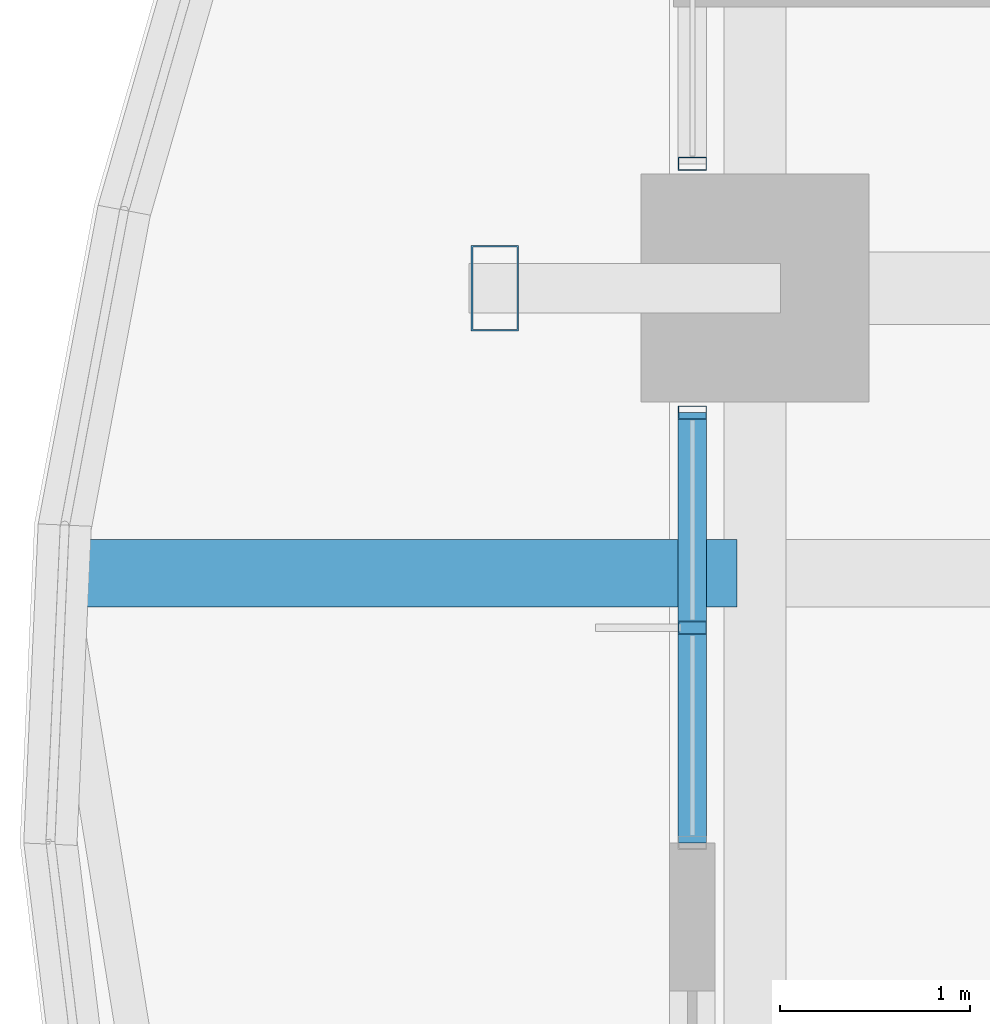
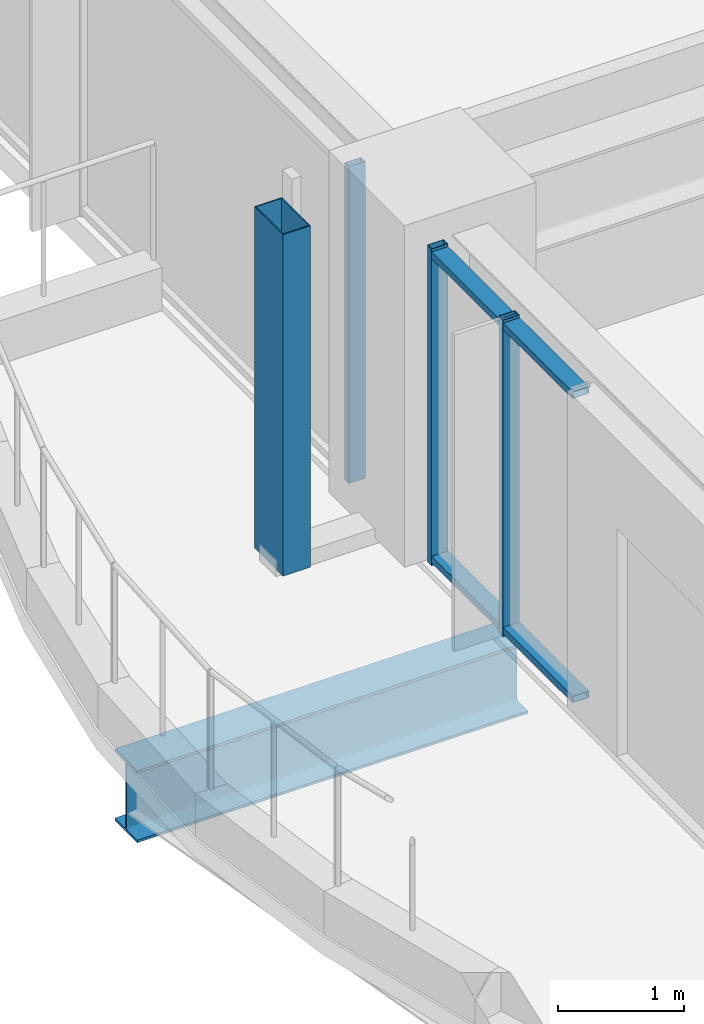
# One storey, part 10 of 38: 6 members, 1 beam, 2 elements without a shape of their own.
"""IFC4 building model written with IfcOpenShell, lengths in metres."""

from ifc_helpers import new_model, si_unit, direction, frame, origin, origin_2d, place, context, subcontext, project, spatial, hollow_rectangle, i_section, extrude, material, material_profile, profile_set, type_object, element, aggregate, save


model = new_model("IFC4")

# Units and contexts
model_context = context("Model", 3, precision=1e-05, world=origin(), true_north=direction((0.0, 1.0)))
body_context = subcontext(model_context, "Body", "Model", "MODEL_VIEW")
ifc_project = project(units=[si_unit("LENGTHUNIT", "METRE"), si_unit("AREAUNIT", "SQUARE_METRE"), si_unit("VOLUMEUNIT", "CUBIC_METRE"), si_unit("PLANEANGLEUNIT", "RADIAN"), si_unit("MASSUNIT", "GRAM", prefix="KILO")], contexts=[model_context])

# Site, building, storey
site_placement = place(None, origin())
site = spatial("IfcSite", under=ifc_project, at=site_placement, CompositionType="ELEMENT")
building_placement = place(site_placement, origin())
building = spatial("IfcBuilding", under=site, at=building_placement, Name="Kolvaren Belvedere", CompositionType="ELEMENT")
storey_placement = place(building_placement, frame((0.0, 0.0, 53.5)))
storey = spatial("IfcBuildingStorey", under=building, at=storey_placement, Name="L15", CompositionType="ELEMENT", Elevation=53.5)

# Beam
ifc_material_1 = material(Name="Structural steel ASTM A992 Grade 50", Category="steel")
ifc_material_profile_1 = material_profile(ifc_material_1, i_section(OverallWidth=0.35498046875, OverallDepth=0.696044921875, WebThickness=0.015380859375, FlangeThickness=0.02490234375, FilletRadius=0.02197265625, at=origin_2d()), Name="W27X146")
ifc_profile_set_1 = profile_set([ifc_material_profile_1], Name="Structural steel ASTM A992 Grade 50")
beam_type = type_object("IfcBeamType", Name="BM-CANT-BAL", PredefinedType="BEAM", material=ifc_profile_set_1)
beam_placement = place(storey_placement, frame((-21.64501953125, 3.10009765625, -0.587890625), z_axis=(-1.0, 0.0, 0.0), x_axis=(0.0, -1.0, 0.0)))
element("IfcBeam", 1, at=beam_placement, inside=storey, type_object=beam_type, Name="L15 Planted Balcony Cantilever BAL-W-2", PredefinedType="BEAM", context=body_context, shape_type="SweptSolid", body=[
    extrude(i_section(OverallWidth=0.35498046875, OverallDepth=0.696044921875, WebThickness=0.015380859375, FlangeThickness=0.02490234375, FilletRadius=0.02197265625, at=origin_2d()), origin(), (0.0, 0.0, 1.0), 3.57080078125),
])

# Curtain wall, members
ifc_material_2 = material(Name="Anodised pale-metal aluminium AA 6063-T6", Category="aluminium")
curtain_wall_type = type_object("IfcCurtainWallType", Name="CW-Z1-LOW", PredefinedType="NOTDEFINED", material=ifc_material_2)
curtain_wall_1_placement = place(storey_placement, origin())
curtain_wall_1 = element("IfcCurtainWall", 2, at=curtain_wall_1_placement, inside=storey, type_object=curtain_wall_type, Name="L15 Unitised Curtain Wall FCW-L15-W2-B1", PredefinedType="NOTDEFINED")
ifc_material_3 = material(Name="Anodised pale-metal aluminium AA 6063-T6", Category="aluminium")
ifc_material_profile_2 = material_profile(ifc_material_3, hollow_rectangle(XDim=0.070068359375, YDim=0.14990234375, WallThickness=0.004150390625, at=origin_2d()), Name="ALU-MUL-150X70")
ifc_profile_set_2 = profile_set([ifc_material_profile_2], Name="Anodised pale-metal aluminium AA 6063-T6")
member_type_1 = type_object("IfcMemberType", Name="CW-MUL-150", PredefinedType="MULLION", material=ifc_profile_set_2)
member_1_placement = place(storey_placement, frame((-21.8798828125, 2.8125, 0.0), z_axis=(0.0, 0.0, 1.0), x_axis=(0.0, 1.0, 0.0)))
member_1 = element("IfcMember", 3, at=member_1_placement, type_object=member_type_1, Name="FCW-L15-W2-B1 Unitised Mullion 2", PredefinedType="MULLION", context=body_context, shape_type="SweptSolid", body=[
    extrude(hollow_rectangle(XDim=0.070068359375, YDim=0.14990234375, WallThickness=0.004150390625, at=origin_2d()), origin(), (0.0, 0.0, 1.0), 3.06005859375),
])
member_2_placement = place(storey_placement, frame((-21.8798828125, 3.945068359375, 0.0), z_axis=(0.0, 0.0, 1.0), x_axis=(0.0, 1.0, 0.0)))
member_2 = element("IfcMember", 4, at=member_2_placement, type_object=member_type_1, Name="FCW-L15-W2-B1 Unitised Mullion 3", PredefinedType="MULLION", context=body_context, shape_type="SweptSolid", body=[
    extrude(hollow_rectangle(XDim=0.070068359375, YDim=0.14990234375, WallThickness=0.004150390625, at=origin_2d()), origin(), (0.0, 0.0, 1.0), 3.06005859375),
])

# Curtain wall, member
curtain_wall_2_placement = place(storey_placement, origin())
curtain_wall_2 = element("IfcCurtainWall", 5, at=curtain_wall_2_placement, inside=storey, type_object=curtain_wall_type, Name="L15 Unitised Curtain Wall FCW-L15-W2-B2", PredefinedType="NOTDEFINED")
member_3_placement = place(storey_placement, frame((-21.8798828125, 5.2548828125, 0.0), z_axis=(0.0, 0.0, 1.0), x_axis=(0.0, 1.0, 0.0)))
member_3 = element("IfcMember", 6, at=member_3_placement, type_object=member_type_1, Name="FCW-L15-W2-B2 Unitised Mullion 1", PredefinedType="MULLION", context=body_context, shape_type="SweptSolid", body=[
    extrude(hollow_rectangle(XDim=0.070068359375, YDim=0.14990234375, WallThickness=0.004150390625, at=origin_2d()), origin(), (0.0, 0.0, 1.0), 3.06005859375),
])
aggregate(curtain_wall_2, [member_3])

# Member
ifc_material_4 = material(Name="Anodised pale-metal aluminium AA 6063-T6", Category="aluminium")
ifc_material_profile_3 = material_profile(ifc_material_4, hollow_rectangle(XDim=0.06494140625, YDim=0.14990234375, WallThickness=0.00390625, at=origin_2d()), Name="ALU-TRN-150X65")
ifc_profile_set_3 = profile_set([ifc_material_profile_3], Name="Anodised pale-metal aluminium AA 6063-T6")
member_type_2 = type_object("IfcMemberType", Name="CW-TRN-150", PredefinedType="USERDEFINED", material=ifc_profile_set_3)
member_4_placement = place(storey_placement, frame((-21.8798828125, 1.679931640625, 0.06005859375), z_axis=(0.0, 1.0, 0.0), x_axis=(0.0, 0.0, 1.0)))
member_4 = element("IfcMember", 7, at=member_4_placement, type_object=member_type_2, Name="FCW-L15-W2-B1 Sill Transom", ObjectType="TRANSOM", PredefinedType="USERDEFINED", context=body_context, shape_type="SweptSolid", body=[
    extrude(hollow_rectangle(XDim=0.06494140625, YDim=0.14990234375, WallThickness=0.00390625, at=origin_2d()), origin(), (0.0, 0.0, 1.0), 2.26513671875),
])

member_5_placement = place(storey_placement, frame((-21.8798828125, 1.679931640625, 3.0), z_axis=(0.0, 1.0, 0.0), x_axis=(0.0, 0.0, 1.0)))
member_5 = element("IfcMember", 8, at=member_5_placement, type_object=member_type_2, Name="FCW-L15-W2-B1 Head Transom", ObjectType="TRANSOM", PredefinedType="USERDEFINED", context=body_context, shape_type="SweptSolid", body=[
    extrude(hollow_rectangle(XDim=0.06494140625, YDim=0.14990234375, WallThickness=0.00390625, at=origin_2d()), origin(), (0.0, 0.0, 1.0), 2.26513671875),
])

aggregate(curtain_wall_1, [member_1, member_2, member_4, member_5])

ifc_material_5 = material(Name="Anodised pale-metal aluminium AA 6063-T6", Category="aluminium")
ifc_material_profile_4 = material_profile(ifc_material_5, hollow_rectangle(XDim=0.25, YDim=0.449951171875, WallThickness=0.008544921875, at=origin_2d()), Name="ALU-PF-450X250")
ifc_profile_set_4 = profile_set([ifc_material_profile_4], Name="Anodised pale-metal aluminium AA 6063-T6")
member_type_3 = type_object("IfcMemberType", Name="PF-FRAME-450", PredefinedType="USERDEFINED", material=ifc_profile_set_4)
member_6_placement = place(storey_placement, frame((-22.919921875, 4.60009765625, 0.0), z_axis=(0.0, 0.0, 1.0), x_axis=(1.0, 0.0, 0.0)))
element("IfcMember", 9, at=member_6_placement, inside=storey, type_object=member_type_3, Name="L15 Outboard Picture-Frame Vertical W2", ObjectType="PICTURE FRAME FIN", PredefinedType="USERDEFINED", context=body_context, shape_type="SweptSolid", body=[
    extrude(hollow_rectangle(XDim=0.25, YDim=0.449951171875, WallThickness=0.008544921875, at=origin_2d()), origin(), (0.0, 0.0, 1.0), 3.300048828125),
])

save(model, "model.ifc")
